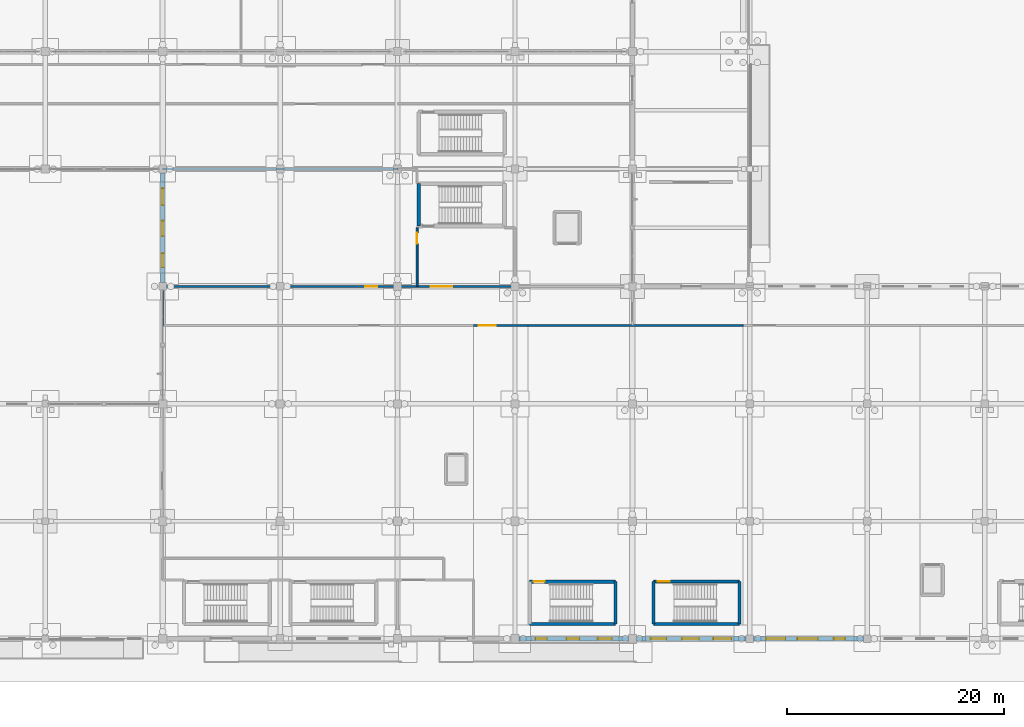
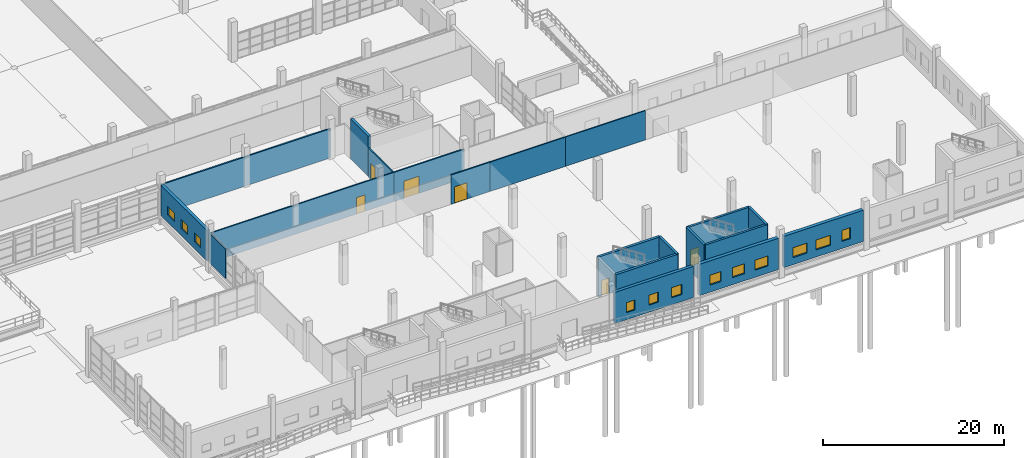
# One storey, part 109 of 138: 20 walls, 12 windows, 6 doors, 18 openings.
"""IFC4 building model written with IfcOpenShell, lengths in metres."""

from ifc_helpers import new_model, si_unit, direction, frame, frame_2d, origin, place, context, subcontext, project, spatial, rectangle, extrude, material, layer, layer_set, type_object, element, fill, save


model = new_model("IFC4")

# Units and contexts
model_context = context("Model", 3, precision=1e-05, world=origin(), true_north=direction((0.0, 1.0)))
body_context = subcontext(model_context, "Body", "Model", "MODEL_VIEW")
ifc_project = project(units=[si_unit("LENGTHUNIT", "METRE"), si_unit("AREAUNIT", "SQUARE_METRE"), si_unit("VOLUMEUNIT", "CUBIC_METRE"), si_unit("PLANEANGLEUNIT", "RADIAN"), si_unit("MASSUNIT", "GRAM", prefix="KILO")], contexts=[model_context])

# Site, building, storey
site_placement = place(None, origin())
site = spatial("IfcSite", under=ifc_project, at=site_placement, CompositionType="ELEMENT")
building_placement = place(site_placement, origin())
building = spatial("IfcBuilding", under=site, at=building_placement, Name="Zwinboog Wholesale Market", CompositionType="ELEMENT")
storey_placement = place(building_placement, origin())
storey = spatial("IfcBuildingStorey", under=building, at=storey_placement, Name="L00", CompositionType="ELEMENT", Elevation=0.0)

# Wall, openings, windows
ifc_material_1 = material(Name="Precast concrete C45/55", Category="concrete")
ifc_layer_1 = layer(ifc_material_1, 0.389892578125)
ifc_layer_set_1 = layer_set([ifc_layer_1], Name="Precast concrete C45/55")
wall_type_1 = type_object("IfcWallType", Name="WT-EW-390", PredefinedType="STANDARD", material=ifc_layer_set_1)
wall_1_placement = place(storey_placement, frame((129.60009765625, 32.7451171875, 0.0), z_axis=(0.0, 0.0, 1.0), x_axis=(0.0, 1.0, 0.0)))
wall_1 = element("IfcWall", 1, at=wall_1_placement, inside=storey, type_object=wall_type_1, Name="EW-02 (WL-EW-L00-053)", PredefinedType="STANDARD", context=body_context, shape_type="SweptSolid", body=[
    extrude(rectangle(XDim=10.10986328125, YDim=0.389892578125, at=frame_2d((5.054931640625, 0.0))), origin(), (0.0, 0.0, 1.0), 4.097900390625),
])
opening_1_placement = place(wall_1_placement, frame((1.405029296875, 0.0, 0.949951171875)))
opening_1 = element("IfcOpeningElement", 2, at=opening_1_placement, cuts=wall_1, Name="Opening WN-19", PredefinedType="OPENING", context=body_context, shape_type="SweptSolid", body=[
    extrude(rectangle(XDim=1.2900390625, YDim=1.199951171875, at=frame_2d((0.64501953125, 0.60009765625))), frame((0.0, 0.204833984375, 0.0), z_axis=(0.0, -1.0, 0.0), x_axis=(1.0, 0.0, 0.0)), (0.0, 0.0, 1.0), 0.409912109375),
])
opening_2_placement = place(wall_1_placement, frame((4.27490234375, 0.0, 0.949951171875)))
opening_2 = element("IfcOpeningElement", 3, at=opening_2_placement, cuts=wall_1, Name="Opening WN-20", PredefinedType="OPENING", context=body_context, shape_type="SweptSolid", body=[
    extrude(rectangle(XDim=1.409912109375, YDim=1.199951171875, at=frame_2d((0.705078125, 0.60009765625))), frame((0.0, 0.204833984375, 0.0), z_axis=(0.0, -1.0, 0.0), x_axis=(1.0, 0.0, 0.0)), (0.0, 0.0, 1.0), 0.409912109375),
])
opening_3_placement = place(wall_1_placement, frame((7.14501953125, 0.0, 0.949951171875)))
opening_3 = element("IfcOpeningElement", 4, at=opening_3_placement, cuts=wall_1, Name="Opening WN-21", PredefinedType="OPENING", context=body_context, shape_type="SweptSolid", body=[
    extrude(rectangle(XDim=1.530029296875, YDim=1.199951171875, at=frame_2d((0.76513671875, 0.60009765625))), frame((0.0, 0.204833984375, 0.0), z_axis=(0.0, -1.0, 0.0), x_axis=(1.0, 0.0, 0.0)), (0.0, 0.0, 1.0), 0.409912109375),
])
ifc_material_2 = material(Name="Thermally broken aluminium low-e window", Category="aluminium")
window_type_1 = type_object("IfcWindowType", Name="WNT-19", PartitioningType="SINGLE_PANEL", PredefinedType="WINDOW", material=ifc_material_2)
window_1_placement = place(opening_1_placement, origin())
window_1 = element("IfcWindow", 5, at=window_1_placement, inside=storey, type_object=window_type_1, Name="WN-19 (WIN-L00-0019)", OverallHeight=1.199951171875, OverallWidth=1.2900390625, PartitioningType="SINGLE_PANEL", PredefinedType="WINDOW", context=body_context, shape_type="SweptSolid", body=[
    extrude(rectangle(XDim=1.2900390625, YDim=1.199951171875, at=frame_2d((0.64501953125, 0.60009765625))), frame((0.0, 0.030029296875, 0.0), z_axis=(0.0, -1.0, 0.0), x_axis=(1.0, 0.0, 0.0)), (0.0, 0.0, 1.0), 0.06005859375),
])
fill(opening_1, window_1)
window_type_2 = type_object("IfcWindowType", Name="WNT-20", PartitioningType="SINGLE_PANEL", PredefinedType="WINDOW", material=ifc_material_2)
window_2_placement = place(opening_2_placement, origin())
window_2 = element("IfcWindow", 6, at=window_2_placement, inside=storey, type_object=window_type_2, Name="WN-20 (WIN-L00-0020)", OverallHeight=1.199951171875, OverallWidth=1.409912109375, PartitioningType="SINGLE_PANEL", PredefinedType="WINDOW", context=body_context, shape_type="SweptSolid", body=[
    extrude(rectangle(XDim=1.409912109375, YDim=1.199951171875, at=frame_2d((0.705078125, 0.60009765625))), frame((0.0, 0.030029296875, 0.0), z_axis=(0.0, -1.0, 0.0), x_axis=(1.0, 0.0, 0.0)), (0.0, 0.0, 1.0), 0.06005859375),
])
fill(opening_2, window_2)
window_type_3 = type_object("IfcWindowType", Name="WNT-21", PartitioningType="SINGLE_PANEL", PredefinedType="WINDOW", material=ifc_material_2)
window_3_placement = place(opening_3_placement, origin())
window_3 = element("IfcWindow", 7, at=window_3_placement, inside=storey, type_object=window_type_3, Name="WN-21 (WIN-L00-0021)", OverallHeight=1.199951171875, OverallWidth=1.530029296875, PartitioningType="SINGLE_PANEL", PredefinedType="WINDOW", context=body_context, shape_type="SweptSolid", body=[
    extrude(rectangle(XDim=1.530029296875, YDim=1.199951171875, at=frame_2d((0.76513671875, 0.60009765625))), frame((0.0, 0.030029296875, 0.0), z_axis=(0.0, -1.0, 0.0), x_axis=(1.0, 0.0, 0.0)), (0.0, 0.0, 1.0), 0.06005859375),
])
fill(opening_3, window_3)

wall_2_placement = place(storey_placement, frame((162.3701171875, 0.0, 0.0), z_axis=(0.0, 0.0, 1.0), x_axis=(1.0, 0.0, 0.0)))
wall_2 = element("IfcWall", 8, at=wall_2_placement, inside=storey, type_object=wall_type_1, Name="EW-02 (WL-EW-L00-059)", PredefinedType="STANDARD", context=body_context, shape_type="SweptSolid", body=[
    extrude(rectangle(XDim=10.059814453125, YDim=0.389892578125, at=frame_2d((5.02978515625, 0.0))), origin(), (0.0, 0.0, 1.0), 4.197998046875),
])
opening_4_placement = place(wall_2_placement, frame((1.52490234375, 0.0, 0.949951171875)))
opening_4 = element("IfcOpeningElement", 9, at=opening_4_placement, cuts=wall_2, Name="Opening WN-25", PredefinedType="OPENING", context=body_context, shape_type="SweptSolid", body=[
    extrude(rectangle(XDim=1.050048828125, YDim=1.35009765625, at=frame_2d((0.52490234375, 0.675048828125))), frame((0.0, 0.204833984375, 0.0), z_axis=(0.0, -1.0, 0.0), x_axis=(1.0, 0.0, 0.0)), (0.0, 0.0, 1.0), 0.409912109375),
])
opening_5_placement = place(wall_2_placement, frame((4.39501953125, 0.0, 0.949951171875)))
opening_5 = element("IfcOpeningElement", 10, at=opening_5_placement, cuts=wall_2, Name="Opening WN-26", PredefinedType="OPENING", context=body_context, shape_type="SweptSolid", body=[
    extrude(rectangle(XDim=1.169921875, YDim=1.35009765625, at=frame_2d((0.5849609375, 0.675048828125))), frame((0.0, 0.204833984375, 0.0), z_axis=(0.0, -1.0, 0.0), x_axis=(1.0, 0.0, 0.0)), (0.0, 0.0, 1.0), 0.409912109375),
])
opening_6_placement = place(wall_2_placement, frame((7.264892578125, 0.0, 0.949951171875)))
opening_6 = element("IfcOpeningElement", 11, at=opening_6_placement, cuts=wall_2, Name="Opening WN-27", PredefinedType="OPENING", context=body_context, shape_type="SweptSolid", body=[
    extrude(rectangle(XDim=1.2900390625, YDim=1.35009765625, at=frame_2d((0.64501953125, 0.675048828125))), frame((0.0, 0.204833984375, 0.0), z_axis=(0.0, -1.0, 0.0), x_axis=(1.0, 0.0, 0.0)), (0.0, 0.0, 1.0), 0.409912109375),
])
window_type_4 = type_object("IfcWindowType", Name="WNT-25", PartitioningType="SINGLE_PANEL", PredefinedType="WINDOW", material=ifc_material_2)
window_4_placement = place(opening_4_placement, frame((1.050048828125, 0.0, 0.0), z_axis=(0.0, 0.0, 1.0), x_axis=(-1.0, 0.0, 0.0)))
window_4 = element("IfcWindow", 12, at=window_4_placement, inside=storey, type_object=window_type_4, Name="WN-25 (WIN-L00-0025)", OverallHeight=1.35009765625, OverallWidth=1.050048828125, PartitioningType="SINGLE_PANEL", PredefinedType="WINDOW", context=body_context, shape_type="SweptSolid", body=[
    extrude(rectangle(XDim=1.050048828125, YDim=1.35009765625, at=frame_2d((0.52490234375, 0.675048828125))), frame((0.0, 0.030029296875, 0.0), z_axis=(0.0, -1.0, 0.0), x_axis=(1.0, 0.0, 0.0)), (0.0, 0.0, 1.0), 0.06005859375),
])
fill(opening_4, window_4)
window_type_5 = type_object("IfcWindowType", Name="WNT-26", PartitioningType="SINGLE_PANEL", PredefinedType="WINDOW", material=ifc_material_2)
window_5_placement = place(opening_5_placement, frame((1.169921875, 0.0, 0.0), z_axis=(0.0, 0.0, 1.0), x_axis=(-1.0, 0.0, 0.0)))
window_5 = element("IfcWindow", 13, at=window_5_placement, inside=storey, type_object=window_type_5, Name="WN-26 (WIN-L00-0026)", OverallHeight=1.35009765625, OverallWidth=1.169921875, PartitioningType="SINGLE_PANEL", PredefinedType="WINDOW", context=body_context, shape_type="SweptSolid", body=[
    extrude(rectangle(XDim=1.169921875, YDim=1.35009765625, at=frame_2d((0.5849609375, 0.675048828125))), frame((0.0, 0.030029296875, 0.0), z_axis=(0.0, -1.0, 0.0), x_axis=(1.0, 0.0, 0.0)), (0.0, 0.0, 1.0), 0.06005859375),
])
fill(opening_5, window_5)
window_type_6 = type_object("IfcWindowType", Name="WNT-27", PartitioningType="SINGLE_PANEL", PredefinedType="WINDOW", material=ifc_material_2)
window_6_placement = place(opening_6_placement, frame((1.2900390625, 0.0, 0.0), z_axis=(0.0, 0.0, 1.0), x_axis=(-1.0, 0.0, 0.0)))
window_6 = element("IfcWindow", 14, at=window_6_placement, inside=storey, type_object=window_type_6, Name="WN-27 (WIN-L00-0027)", OverallHeight=1.35009765625, OverallWidth=1.2900390625, PartitioningType="SINGLE_PANEL", PredefinedType="WINDOW", context=body_context, shape_type="SweptSolid", body=[
    extrude(rectangle(XDim=1.2900390625, YDim=1.35009765625, at=frame_2d((0.64501953125, 0.675048828125))), frame((0.0, 0.030029296875, 0.0), z_axis=(0.0, -1.0, 0.0), x_axis=(1.0, 0.0, 0.0)), (0.0, 0.0, 1.0), 0.06005859375),
])
fill(opening_6, window_6)

ifc_layer_2 = layer(ifc_material_1, 0.429931640625)
ifc_layer_set_2 = layer_set([ifc_layer_2], Name="Precast concrete C45/55")
wall_type_2 = type_object("IfcWallType", Name="WT-EW-430", PredefinedType="STANDARD", material=ifc_layer_set_2)
wall_3_placement = place(storey_placement, frame((173.169921875, 0.0, 0.0), z_axis=(0.0, 0.0, 1.0), x_axis=(1.0, 0.0, 0.0)))
wall_3 = element("IfcWall", 15, at=wall_3_placement, inside=storey, type_object=wall_type_2, Name="EW-04 (WL-EW-L00-067)", PredefinedType="STANDARD", context=body_context, shape_type="SweptSolid", body=[
    extrude(rectangle(XDim=10.0849609375, YDim=0.429931640625, at=frame_2d((5.04248046875, 0.0))), origin(), (0.0, 0.0, 1.0), 4.22509765625),
])
opening_7_placement = place(wall_3_placement, frame((1.344970703125, 0.0, 0.949951171875)))
opening_7 = element("IfcOpeningElement", 16, at=opening_7_placement, cuts=wall_3, Name="Opening WN-28", PredefinedType="OPENING", context=body_context, shape_type="SweptSolid", body=[
    extrude(rectangle(XDim=1.409912109375, YDim=1.35009765625, at=frame_2d((0.705078125, 0.675048828125))), frame((0.0, 0.224853515625, 0.0), z_axis=(0.0, -1.0, 0.0), x_axis=(1.0, 0.0, 0.0)), (0.0, 0.0, 1.0), 0.449951171875),
])
opening_8_placement = place(wall_3_placement, frame((4.215087890625, 0.0, 0.949951171875)))
opening_8 = element("IfcOpeningElement", 17, at=opening_8_placement, cuts=wall_3, Name="Opening WN-29", PredefinedType="OPENING", context=body_context, shape_type="SweptSolid", body=[
    extrude(rectangle(XDim=1.530029296875, YDim=1.35009765625, at=frame_2d((0.76513671875, 0.675048828125))), frame((0.0, 0.224853515625, 0.0), z_axis=(0.0, -1.0, 0.0), x_axis=(1.0, 0.0, 0.0)), (0.0, 0.0, 1.0), 0.449951171875),
])
opening_9_placement = place(wall_3_placement, frame((7.0849609375, 0.0, 0.949951171875)))
opening_9 = element("IfcOpeningElement", 18, at=opening_9_placement, cuts=wall_3, Name="Opening WN-30", PredefinedType="OPENING", context=body_context, shape_type="SweptSolid", body=[
    extrude(rectangle(XDim=1.64990234375, YDim=1.35009765625, at=frame_2d((0.824951171875, 0.675048828125))), frame((0.0, 0.224853515625, 0.0), z_axis=(0.0, -1.0, 0.0), x_axis=(1.0, 0.0, 0.0)), (0.0, 0.0, 1.0), 0.449951171875),
])
window_type_7 = type_object("IfcWindowType", Name="WNT-28", PartitioningType="SINGLE_PANEL", PredefinedType="WINDOW", material=ifc_material_2)
window_7_placement = place(opening_7_placement, frame((1.409912109375, 0.0, 0.0), z_axis=(0.0, 0.0, 1.0), x_axis=(-1.0, 0.0, 0.0)))
window_7 = element("IfcWindow", 19, at=window_7_placement, inside=storey, type_object=window_type_7, Name="WN-28 (WIN-L00-0028)", OverallHeight=1.35009765625, OverallWidth=1.409912109375, PartitioningType="SINGLE_PANEL", PredefinedType="WINDOW", context=body_context, shape_type="SweptSolid", body=[
    extrude(rectangle(XDim=1.409912109375, YDim=1.35009765625, at=frame_2d((0.705078125, 0.675048828125))), frame((0.0, 0.030029296875, 0.0), z_axis=(0.0, -1.0, 0.0), x_axis=(1.0, 0.0, 0.0)), (0.0, 0.0, 1.0), 0.06005859375),
])
fill(opening_7, window_7)
window_type_8 = type_object("IfcWindowType", Name="WNT-29", PartitioningType="SINGLE_PANEL", PredefinedType="WINDOW", material=ifc_material_2)
window_8_placement = place(opening_8_placement, frame((1.530029296875, 0.0, 0.0), z_axis=(0.0, 0.0, 1.0), x_axis=(-1.0, 0.0, 0.0)))
window_8 = element("IfcWindow", 20, at=window_8_placement, inside=storey, type_object=window_type_8, Name="WN-29 (WIN-L00-0029)", OverallHeight=1.35009765625, OverallWidth=1.530029296875, PartitioningType="SINGLE_PANEL", PredefinedType="WINDOW", context=body_context, shape_type="SweptSolid", body=[
    extrude(rectangle(XDim=1.530029296875, YDim=1.35009765625, at=frame_2d((0.76513671875, 0.675048828125))), frame((0.0, 0.030029296875, 0.0), z_axis=(0.0, -1.0, 0.0), x_axis=(1.0, 0.0, 0.0)), (0.0, 0.0, 1.0), 0.06005859375),
])
fill(opening_8, window_8)
window_type_9 = type_object("IfcWindowType", Name="WNT-30", PartitioningType="SINGLE_PANEL", PredefinedType="WINDOW", material=ifc_material_2)
window_9_placement = place(opening_9_placement, frame((1.64990234375, 0.0, 0.0), z_axis=(0.0, 0.0, 1.0), x_axis=(-1.0, 0.0, 0.0)))
window_9 = element("IfcWindow", 21, at=window_9_placement, inside=storey, type_object=window_type_9, Name="WN-30 (WIN-L00-0030)", OverallHeight=1.35009765625, OverallWidth=1.64990234375, PartitioningType="SINGLE_PANEL", PredefinedType="WINDOW", context=body_context, shape_type="SweptSolid", body=[
    extrude(rectangle(XDim=1.64990234375, YDim=1.35009765625, at=frame_2d((0.824951171875, 0.675048828125))), frame((0.0, 0.030029296875, 0.0), z_axis=(0.0, -1.0, 0.0), x_axis=(1.0, 0.0, 0.0)), (0.0, 0.0, 1.0), 0.06005859375),
])
fill(opening_9, window_9)

wall_4_placement = place(storey_placement, frame((183.945068359375, 0.0, 0.0), z_axis=(0.0, 0.0, 1.0), x_axis=(1.0, 0.0, 0.0)))
wall_4 = element("IfcWall", 22, at=wall_4_placement, inside=storey, type_object=wall_type_2, Name="EW-04 (WL-EW-L00-071)", PredefinedType="STANDARD", context=body_context, shape_type="SweptSolid", body=[
    extrude(rectangle(XDim=10.10986328125, YDim=0.429931640625, at=frame_2d((5.054931640625, 0.0))), origin(), (0.0, 0.0, 1.0), 4.22509765625),
])
opening_10_placement = place(wall_4_placement, frame((1.1650390625, 0.0, 0.949951171875)))
opening_10 = element("IfcOpeningElement", 23, at=opening_10_placement, cuts=wall_4, Name="Opening WN-31", PredefinedType="OPENING", context=body_context, shape_type="SweptSolid", body=[
    extrude(rectangle(XDim=1.77001953125, YDim=1.35009765625, at=frame_2d((0.885009765625, 0.675048828125))), frame((0.0, 0.224853515625, 0.0), z_axis=(0.0, -1.0, 0.0), x_axis=(1.0, 0.0, 0.0)), (0.0, 0.0, 1.0), 0.449951171875),
])
opening_11_placement = place(wall_4_placement, frame((4.034912109375, 0.0, 0.949951171875)))
opening_11 = element("IfcOpeningElement", 24, at=opening_11_placement, cuts=wall_4, Name="Opening WN-32", PredefinedType="OPENING", context=body_context, shape_type="SweptSolid", body=[
    extrude(rectangle(XDim=1.889892578125, YDim=1.35009765625, at=frame_2d((0.94482421875, 0.675048828125))), frame((0.0, 0.224853515625, 0.0), z_axis=(0.0, -1.0, 0.0), x_axis=(1.0, 0.0, 0.0)), (0.0, 0.0, 1.0), 0.449951171875),
])
opening_12_placement = place(wall_4_placement, frame((7.385009765625, 0.0, 0.949951171875)))
opening_12 = element("IfcOpeningElement", 25, at=opening_12_placement, cuts=wall_4, Name="Opening WN-33", PredefinedType="OPENING", context=body_context, shape_type="SweptSolid", body=[
    extrude(rectangle(XDim=1.050048828125, YDim=1.5, at=frame_2d((0.52490234375, 0.75))), frame((0.0, 0.224853515625, 0.0), z_axis=(0.0, -1.0, 0.0), x_axis=(1.0, 0.0, 0.0)), (0.0, 0.0, 1.0), 0.449951171875),
])
window_type_10 = type_object("IfcWindowType", Name="WNT-31", PartitioningType="SINGLE_PANEL", PredefinedType="WINDOW", material=ifc_material_2)
window_10_placement = place(opening_10_placement, frame((1.77001953125, 0.0, 0.0), z_axis=(0.0, 0.0, 1.0), x_axis=(-1.0, 0.0, 0.0)))
window_10 = element("IfcWindow", 26, at=window_10_placement, inside=storey, type_object=window_type_10, Name="WN-31 (WIN-L00-0031)", OverallHeight=1.35009765625, OverallWidth=1.77001953125, PartitioningType="SINGLE_PANEL", PredefinedType="WINDOW", context=body_context, shape_type="SweptSolid", body=[
    extrude(rectangle(XDim=1.77001953125, YDim=1.35009765625, at=frame_2d((0.885009765625, 0.675048828125))), frame((0.0, 0.030029296875, 0.0), z_axis=(0.0, -1.0, 0.0), x_axis=(1.0, 0.0, 0.0)), (0.0, 0.0, 1.0), 0.06005859375),
])
fill(opening_10, window_10)
window_type_11 = type_object("IfcWindowType", Name="WNT-32", PartitioningType="SINGLE_PANEL", PredefinedType="WINDOW", material=ifc_material_2)
window_11_placement = place(opening_11_placement, frame((1.889892578125, 0.0, 0.0), z_axis=(0.0, 0.0, 1.0), x_axis=(-1.0, 0.0, 0.0)))
window_11 = element("IfcWindow", 27, at=window_11_placement, inside=storey, type_object=window_type_11, Name="WN-32 (WIN-L00-0032)", OverallHeight=1.35009765625, OverallWidth=1.889892578125, PartitioningType="SINGLE_PANEL", PredefinedType="WINDOW", context=body_context, shape_type="SweptSolid", body=[
    extrude(rectangle(XDim=1.889892578125, YDim=1.35009765625, at=frame_2d((0.94482421875, 0.675048828125))), frame((0.0, 0.030029296875, 0.0), z_axis=(0.0, -1.0, 0.0), x_axis=(1.0, 0.0, 0.0)), (0.0, 0.0, 1.0), 0.06005859375),
])
fill(opening_11, window_11)
window_type_12 = type_object("IfcWindowType", Name="WNT-33", PartitioningType="SINGLE_PANEL", PredefinedType="WINDOW", material=ifc_material_2)
window_12_placement = place(opening_12_placement, frame((1.050048828125, 0.0, 0.0), z_axis=(0.0, 0.0, 1.0), x_axis=(-1.0, 0.0, 0.0)))
window_12 = element("IfcWindow", 28, at=window_12_placement, inside=storey, type_object=window_type_12, Name="WN-33 (WIN-L00-0033)", OverallHeight=1.5, OverallWidth=1.050048828125, PartitioningType="SINGLE_PANEL", PredefinedType="WINDOW", context=body_context, shape_type="SweptSolid", body=[
    extrude(rectangle(XDim=1.050048828125, YDim=1.5, at=frame_2d((0.52490234375, 0.75))), frame((0.0, 0.030029296875, 0.0), z_axis=(0.0, -1.0, 0.0), x_axis=(1.0, 0.0, 0.0)), (0.0, 0.0, 1.0), 0.06005859375),
])
fill(opening_12, window_12)

# Wall
ifc_material_3 = material(Name="Concrete C40/50", Category="concrete")
ifc_layer_3 = layer(ifc_material_3, 0.280029296875)
ifc_layer_set_3 = layer_set([ifc_layer_3], Name="Concrete C40/50")
wall_type_3 = type_object("IfcWallType", Name="WT-SW-280", PredefinedType="SHEAR", material=ifc_layer_set_3)
wall_5_placement = place(storey_placement, frame((174.75, 1.35009765625, 0.0), z_axis=(0.0, 0.0, 1.0), x_axis=(1.0, 0.0, 0.0)))
element("IfcWall", 29, at=wall_5_placement, inside=storey, type_object=wall_type_3, Name="SW-01 (WL-SW-L00-069)", PredefinedType="SHEAR", context=body_context, shape_type="SweptSolid", body=[
    extrude(rectangle(XDim=7.89990234375, YDim=0.280029296875, at=frame_2d((3.949951171875, 0.0))), origin(), (0.0, 0.0, 1.0), 5.39990234375),
])

# Wall, opening, door
wall_6_placement = place(storey_placement, frame((174.75, 5.25, 0.0), z_axis=(0.0, 0.0, 1.0), x_axis=(1.0, 0.0, 0.0)))
wall_6 = element("IfcWall", 30, at=wall_6_placement, inside=storey, type_object=wall_type_3, Name="SW-01 (WL-SW-L00-070)", PredefinedType="SHEAR", context=body_context, shape_type="SweptSolid", body=[
    extrude(rectangle(XDim=7.89990234375, YDim=0.280029296875, at=frame_2d((3.949951171875, 0.0))), origin(), (0.0, 0.0, 1.0), 5.39990234375),
])
opening_13_placement = place(wall_6_placement, frame((0.3798828125, 0.0, 0.0)))
opening_13 = element("IfcOpeningElement", 31, at=opening_13_placement, cuts=wall_6, Name="Opening FD-0018", PredefinedType="OPENING", context=body_context, shape_type="SweptSolid", body=[
    extrude(rectangle(XDim=1.10009765625, YDim=2.199951171875, at=frame_2d((0.550048828125, 1.10009765625))), frame((0.0, 0.14990234375, 0.0), z_axis=(0.0, -1.0, 0.0), x_axis=(1.0, 0.0, 0.0)), (0.0, 0.0, 1.0), 0.300048828125),
])
ifc_material_4 = material(Name="Timber and powder-coated steel door leaf", Category="steel")
door_type_1 = type_object("IfcDoorType", Name="IDT-FD-02", OperationType="NOTDEFINED", PredefinedType="DOOR", material=ifc_material_4)
door_1_placement = place(opening_13_placement, frame((1.10009765625, 0.0, 0.0), z_axis=(0.0, 0.0, 1.0), x_axis=(-1.0, 0.0, 0.0)))
door_1 = element("IfcDoor", 32, at=door_1_placement, inside=storey, type_object=door_type_1, Name="Core Fire Door FD-0018", OperationType="SINGLE_SWING_LEFT", OverallHeight=2.199951171875, OverallWidth=1.10009765625, PredefinedType="DOOR", context=body_context, shape_type="SweptSolid", body=[
    extrude(rectangle(XDim=1.10009765625, YDim=2.199951171875, at=frame_2d((0.550048828125, 1.10009765625))), frame((0.0, 0.02490234375, 0.0), z_axis=(0.0, -1.0, 0.0), x_axis=(1.0, 0.0, 0.0)), (0.0, 0.0, 1.0), 0.050048828125),
])
fill(opening_13, door_1)

# Walls
for number, where, z_axis, x_axis, name in (
    (33, (174.75, 1.35009765625, 0.0), (0.0, 0.0, 1.0), (0.0, 1.0, 0.0), "SW-01 (WL-SW-L00-071)"),
    (34, (182.64990234375, 1.35009765625, 0.0), (0.0, 0.0, 1.0), (0.0, 1.0, 0.0), "SW-01 (WL-SW-L00-072)"),
):
    element("IfcWall", number, at=place(storey_placement, frame(where, z_axis=z_axis, x_axis=x_axis)), inside=storey, type_object=wall_type_3, Name=name, PredefinedType="SHEAR", context=body_context, shape_type="SweptSolid", body=[
        extrude(rectangle(XDim=3.89990234375, YDim=0.280029296875, at=frame_2d((1.949951171875, 0.0))), origin(), (0.0, 0.0, 1.0), 5.39990234375),
    ])
ifc_layer_4 = layer(ifc_material_3, 0.320068359375)
ifc_layer_set_4 = layer_set([ifc_layer_4], Name="Concrete C40/50")
wall_type_4 = type_object("IfcWallType", Name="WT-SW-320", PredefinedType="SHEAR", material=ifc_layer_set_4)
wall_7_placement = place(storey_placement, frame((163.35009765625, 1.35009765625, 0.0), z_axis=(0.0, 0.0, 1.0), x_axis=(1.0, 0.0, 0.0)))
element("IfcWall", 35, at=wall_7_placement, inside=storey, type_object=wall_type_4, Name="SW-03 (WL-SW-L00-097)", PredefinedType="SHEAR", context=body_context, shape_type="SweptSolid", body=[
    extrude(rectangle(XDim=7.89990234375, YDim=0.320068359375, at=frame_2d((3.949951171875, 0.0))), origin(), (0.0, 0.0, 1.0), 5.39990234375),
])

# Wall, opening, door
wall_8_placement = place(storey_placement, frame((163.35009765625, 5.25, 0.0), z_axis=(0.0, 0.0, 1.0), x_axis=(1.0, 0.0, 0.0)))
wall_8 = element("IfcWall", 36, at=wall_8_placement, inside=storey, type_object=wall_type_4, Name="SW-03 (WL-SW-L00-098)", PredefinedType="SHEAR", context=body_context, shape_type="SweptSolid", body=[
    extrude(rectangle(XDim=7.89990234375, YDim=0.320068359375, at=frame_2d((3.949951171875, 0.0))), origin(), (0.0, 0.0, 1.0), 5.39990234375),
])
opening_14_placement = place(wall_8_placement, frame((0.3798828125, 0.0, 0.0)))
opening_14 = element("IfcOpeningElement", 37, at=opening_14_placement, cuts=wall_8, Name="Opening FD-0025", PredefinedType="OPENING", context=body_context, shape_type="SweptSolid", body=[
    extrude(rectangle(XDim=1.0, YDim=2.14990234375, at=frame_2d((0.5, 1.074951171875))), frame((0.0, 0.169921875, 0.0), z_axis=(0.0, -1.0, 0.0), x_axis=(1.0, 0.0, 0.0)), (0.0, 0.0, 1.0), 0.340087890625),
])
door_type_2 = type_object("IfcDoorType", Name="IDT-FD-01", OperationType="NOTDEFINED", PredefinedType="DOOR", material=ifc_material_4)
door_2_placement = place(opening_14_placement, frame((1.0, 0.0, 0.0), z_axis=(0.0, 0.0, 1.0), x_axis=(-1.0, 0.0, 0.0)))
door_2 = element("IfcDoor", 38, at=door_2_placement, inside=storey, type_object=door_type_2, Name="Core Fire Door FD-0025", OperationType="SINGLE_SWING_RIGHT", OverallHeight=2.14990234375, OverallWidth=1.0, PredefinedType="DOOR", context=body_context, shape_type="SweptSolid", body=[
    extrude(rectangle(XDim=1.0, YDim=2.14990234375, at=frame_2d((0.5, 1.074951171875))), frame((0.0, 0.02490234375, 0.0), z_axis=(0.0, -1.0, 0.0), x_axis=(1.0, 0.0, 0.0)), (0.0, 0.0, 1.0), 0.050048828125),
])
fill(opening_14, door_2)

# Walls
wall_9_placement = place(storey_placement, frame((171.25, 1.35009765625, 0.0), z_axis=(0.0, 0.0, 1.0), x_axis=(0.0, 1.0, 0.0)))
element("IfcWall", 39, at=wall_9_placement, inside=storey, type_object=wall_type_4, Name="SW-03 (WL-SW-L00-100)", PredefinedType="SHEAR", context=body_context, shape_type="SweptSolid", body=[
    extrude(rectangle(XDim=3.89990234375, YDim=0.320068359375, at=frame_2d((1.949951171875, 0.0))), origin(), (0.0, 0.0, 1.0), 5.39990234375),
])
ifc_layer_5 = layer(ifc_material_3, 0.35009765625)
ifc_layer_set_5 = layer_set([ifc_layer_5], Name="Concrete C40/50")
wall_type_5 = type_object("IfcWallType", Name="WT-SW-350", PredefinedType="SHEAR", material=ifc_layer_set_5)
wall_10_placement = place(storey_placement, frame((153.14990234375, 37.949951171875, 0.0), z_axis=(0.0, 0.0, 1.0), x_axis=(0.0, 1.0, 0.0)))
element("IfcWall", 40, at=wall_10_placement, inside=storey, type_object=wall_type_5, Name="SW-04 (WL-SW-L00-115)", PredefinedType="SHEAR", context=body_context, shape_type="SweptSolid", body=[
    extrude(rectangle(XDim=3.900146484375, YDim=0.35009765625, at=frame_2d((1.9501953125, 0.0))), origin(), (0.0, 0.0, 1.0), 5.39990234375),
])
ifc_layer_6 = layer(ifc_material_1, 0.179931640625)
ifc_layer_set_6 = layer_set([ifc_layer_6], Name="Precast concrete C45/55")
wall_type_6 = type_object("IfcWallType", Name="WT-IW-180", PredefinedType="PARTITIONING", material=ifc_layer_set_6)
wall_11_placement = place(storey_placement, frame((129.60009765625, 43.199951171875, 0.0), z_axis=(0.0, 0.0, 1.0), x_axis=(1.0, 0.0, 0.0)))
element("IfcWall", 41, at=wall_11_placement, inside=storey, type_object=wall_type_6, Name="IW-01 (WL-IN-L00-0085)", PredefinedType="PARTITIONING", context=body_context, shape_type="SweptSolid", body=[
    extrude(rectangle(XDim=21.599853515625, YDim=0.179931640625, at=frame_2d((10.7998046875, 0.0))), origin(), (0.0, 0.0, 1.0), 3.949951171875),
])

# Wall, opening, door
ifc_material_5 = material(Name="Fire-rated corridor stud partition")
ifc_layer_7 = layer(ifc_material_5, 0.154052734375)
ifc_layer_set_7 = layer_set([ifc_layer_7], Name="Fire-rated corridor stud partition")
wall_type_7 = type_object("IfcWallType", Name="WT-PT-154", PredefinedType="PARTITIONING", material=ifc_layer_set_7)
wall_12_placement = place(storey_placement, frame((129.60009765625, 32.39990234375, 0.0), z_axis=(0.0, 0.0, 1.0), x_axis=(1.0, 0.0, 0.0)))
wall_12 = element("IfcWall", 42, at=wall_12_placement, inside=storey, type_object=wall_type_7, Name="PW-04 (WL-IN-L00-0031)", PredefinedType="PARTITIONING", context=body_context, shape_type="SweptSolid", body=[
    extrude(rectangle(XDim=23.39990234375, YDim=0.154052734375, at=frame_2d((11.699951171875, 0.0))), origin(), (0.0, 0.0, 1.0), 3.949951171875),
])
opening_15_placement = place(wall_12_placement, frame((18.637939453125, 0.0, 0.0)))
opening_15 = element("IfcOpeningElement", 43, at=opening_15_placement, cuts=wall_12, Name="Opening IDF-0028", PredefinedType="OPENING", context=body_context, shape_type="SweptSolid", body=[
    extrude(rectangle(XDim=1.10009765625, YDim=2.199951171875, at=frame_2d((0.550048828125, 1.10009765625))), frame((0.0, 0.0869140625, 0.0), z_axis=(0.0, -1.0, 0.0), x_axis=(1.0, 0.0, 0.0)), (0.0, 0.0, 1.0), 0.174072265625),
])
door_3_placement = place(opening_15_placement, origin())
door_3 = element("IfcDoor", 44, at=door_3_placement, inside=storey, type_object=door_type_1, Name="Interior Door IDF-0028", OperationType="SINGLE_SWING_LEFT", OverallHeight=2.199951171875, OverallWidth=1.10009765625, PredefinedType="DOOR", context=body_context, shape_type="SweptSolid", body=[
    extrude(rectangle(XDim=1.10009765625, YDim=2.199951171875, at=frame_2d((0.550048828125, 1.10009765625))), frame((0.0, 0.02490234375, 0.0), z_axis=(0.0, -1.0, 0.0), x_axis=(1.0, 0.0, 0.0)), (0.0, 0.0, 1.0), 0.050048828125),
])
fill(opening_15, door_3)

# Wall
wall_13_placement = place(storey_placement, frame((172.800048828125, 28.800048828125, 0.0), z_axis=(0.0, 0.0, 1.0), x_axis=(1.0, 0.0, 0.0)))
element("IfcWall", 45, at=wall_13_placement, inside=storey, type_object=wall_type_7, Name="PW-04 (WL-IN-L00-0103)", PredefinedType="PARTITIONING", context=body_context, shape_type="SweptSolid", body=[
    extrude(rectangle(XDim=10.199951171875, YDim=0.154052734375, at=frame_2d((5.10009765625, 0.0))), origin(), (0.0, 0.0, 1.0), 3.949951171875),
])

# Wall, opening, door
ifc_material_6 = material(Name="Laboratory acoustic partition")
ifc_layer_8 = layer(ifc_material_6, 0.16796875)
ifc_layer_set_8 = layer_set([ifc_layer_8], Name="Laboratory acoustic partition")
wall_type_8 = type_object("IfcWallType", Name="WT-PT-168", PredefinedType="PARTITIONING", material=ifc_layer_set_8)
wall_14_placement = place(storey_placement, frame((153.0, 32.39990234375, 0.0), z_axis=(0.0, 0.0, 1.0), x_axis=(1.0, 0.0, 0.0)))
wall_14 = element("IfcWall", 46, at=wall_14_placement, inside=storey, type_object=wall_type_8, Name="PW-05 (WL-IN-L00-0006)", PredefinedType="PARTITIONING", context=body_context, shape_type="SweptSolid", body=[
    extrude(rectangle(XDim=9.0, YDim=0.16796875, at=frame_2d((4.5, 0.0))), origin(), (0.0, 0.0, 1.0), 3.949951171875),
])
opening_16_placement = place(wall_14_placement, frame((1.27001953125, 0.0, 0.0)))
opening_16 = element("IfcOpeningElement", 47, at=opening_16_placement, cuts=wall_14, Name="Opening IDF-0006", PredefinedType="OPENING", context=body_context, shape_type="SweptSolid", body=[
    extrude(rectangle(XDim=1.9599609375, YDim=2.300048828125, at=frame_2d((0.97998046875, 1.14990234375))), frame((0.0, 0.093994140625, 0.0), z_axis=(0.0, -1.0, 0.0), x_axis=(1.0, 0.0, 0.0)), (0.0, 0.0, 1.0), 0.18798828125),
])
door_type_3 = type_object("IfcDoorType", Name="IDT-FD-05", OperationType="DOUBLE_DOOR_SINGLE_SWING", PredefinedType="DOOR", material=ifc_material_4)
door_4_placement = place(opening_16_placement, frame((1.9599609375, 0.0, 0.0), z_axis=(0.0, 0.0, 1.0), x_axis=(-1.0, 0.0, 0.0)))
door_4 = element("IfcDoor", 48, at=door_4_placement, inside=storey, type_object=door_type_3, Name="Interior Door IDF-0006", OperationType="DOUBLE_DOOR_SINGLE_SWING", OverallHeight=2.300048828125, OverallWidth=1.9599609375, PredefinedType="DOOR", context=body_context, shape_type="SweptSolid", body=[
    extrude(rectangle(XDim=1.9599609375, YDim=2.300048828125, at=frame_2d((0.97998046875, 1.14990234375))), frame((0.0, 0.02490234375, 0.0), z_axis=(0.0, -1.0, 0.0), x_axis=(1.0, 0.0, 0.0)), (0.0, 0.0, 1.0), 0.050048828125),
])
fill(opening_16, door_4)

wall_15_placement = place(storey_placement, frame((153.0, 32.39990234375, 0.0), z_axis=(0.0, 0.0, 1.0), x_axis=(0.0, 1.0, 0.0)))
wall_15 = element("IfcWall", 49, at=wall_15_placement, inside=storey, type_object=wall_type_8, Name="PW-05 (WL-IN-L00-0034)", PredefinedType="PARTITIONING", context=body_context, shape_type="SweptSolid", body=[
    extrude(rectangle(XDim=5.400146484375, YDim=0.16796875, at=frame_2d((2.7001953125, 0.0))), origin(), (0.0, 0.0, 1.0), 3.949951171875),
])
opening_17_placement = place(wall_15_placement, frame((3.927978515625, 0.0, 0.0)))
opening_17 = element("IfcOpeningElement", 50, at=opening_17_placement, cuts=wall_15, Name="Opening IDF-0031", PredefinedType="OPENING", context=body_context, shape_type="SweptSolid", body=[
    extrude(rectangle(XDim=1.0, YDim=2.14990234375, at=frame_2d((0.5, 1.074951171875))), frame((0.0, 0.093994140625, 0.0), z_axis=(0.0, -1.0, 0.0), x_axis=(1.0, 0.0, 0.0)), (0.0, 0.0, 1.0), 0.18798828125),
])
door_5_placement = place(opening_17_placement, origin())
door_5 = element("IfcDoor", 51, at=door_5_placement, inside=storey, type_object=door_type_2, Name="Interior Door IDF-0031", OperationType="SINGLE_SWING_RIGHT", OverallHeight=2.14990234375, OverallWidth=1.0, PredefinedType="DOOR", context=body_context, shape_type="SweptSolid", body=[
    extrude(rectangle(XDim=1.0, YDim=2.14990234375, at=frame_2d((0.5, 1.074951171875))), frame((0.0, 0.02490234375, 0.0), z_axis=(0.0, -1.0, 0.0), x_axis=(1.0, 0.0, 0.0)), (0.0, 0.0, 1.0), 0.050048828125),
])
fill(opening_17, door_5)

wall_16_placement = place(storey_placement, frame((158.199951171875, 28.800048828125, 0.0), z_axis=(0.0, 0.0, 1.0), x_axis=(1.0, 0.0, 0.0)))
wall_16 = element("IfcWall", 52, at=wall_16_placement, inside=storey, type_object=wall_type_8, Name="PW-05 (WL-IN-L00-0036)", PredefinedType="PARTITIONING", context=body_context, shape_type="SweptSolid", body=[
    extrude(rectangle(XDim=5.0, YDim=0.16796875, at=frame_2d((2.5, 0.0))), origin(), (0.0, 0.0, 1.0), 3.949951171875),
])
opening_18_placement = place(wall_16_placement, frame((0.449951171875, 0.0, 0.0)))
opening_18 = element("IfcOpeningElement", 53, at=opening_18_placement, cuts=wall_16, Name="Opening IDF-0032", PredefinedType="OPENING", context=body_context, shape_type="SweptSolid", body=[
    extrude(rectangle(XDim=1.60009765625, YDim=2.199951171875, at=frame_2d((0.800048828125, 1.10009765625))), frame((0.0, 0.093994140625, 0.0), z_axis=(0.0, -1.0, 0.0), x_axis=(1.0, 0.0, 0.0)), (0.0, 0.0, 1.0), 0.18798828125),
])
door_type_4 = type_object("IfcDoorType", Name="IDT-FD-03", OperationType="DOUBLE_DOOR_SINGLE_SWING", PredefinedType="DOOR", material=ifc_material_4)
door_6_placement = place(opening_18_placement, origin())
door_6 = element("IfcDoor", 54, at=door_6_placement, inside=storey, type_object=door_type_4, Name="Interior Door IDF-0032", OperationType="DOUBLE_DOOR_SINGLE_SWING", OverallHeight=2.199951171875, OverallWidth=1.60009765625, PredefinedType="DOOR", context=body_context, shape_type="SweptSolid", body=[
    extrude(rectangle(XDim=1.60009765625, YDim=2.199951171875, at=frame_2d((0.800048828125, 1.10009765625))), frame((0.0, 0.02490234375, 0.0), z_axis=(0.0, -1.0, 0.0), x_axis=(1.0, 0.0, 0.0)), (0.0, 0.0, 1.0), 0.050048828125),
])
fill(opening_18, door_6)

# Walls
wall_17_placement = place(storey_placement, frame((129.60009765625, 28.800048828125, 0.0), z_axis=(0.0, 0.0, 1.0), x_axis=(0.0, 1.0, 0.0)))
element("IfcWall", 55, at=wall_17_placement, inside=storey, type_object=wall_type_8, Name="PW-05 (WL-IN-L00-0084)", PredefinedType="PARTITIONING", context=body_context, shape_type="SweptSolid", body=[
    extrude(rectangle(XDim=3.599853515625, YDim=0.16796875, at=frame_2d((1.7998046875, 0.0))), origin(), (0.0, 0.0, 1.0), 3.949951171875),
])
wall_18_placement = place(storey_placement, frame((163.199951171875, 28.800048828125, 0.0), z_axis=(0.0, 0.0, 1.0), x_axis=(1.0, 0.0, 0.0)))
element("IfcWall", 56, at=wall_18_placement, inside=storey, type_object=wall_type_8, Name="PW-05 (WL-IN-L00-0102)", PredefinedType="PARTITIONING", context=body_context, shape_type="SweptSolid", body=[
    extrude(rectangle(XDim=9.60009765625, YDim=0.16796875, at=frame_2d((4.800048828125, 0.0))), origin(), (0.0, 0.0, 1.0), 3.949951171875),
])

save(model, "model.ifc")
